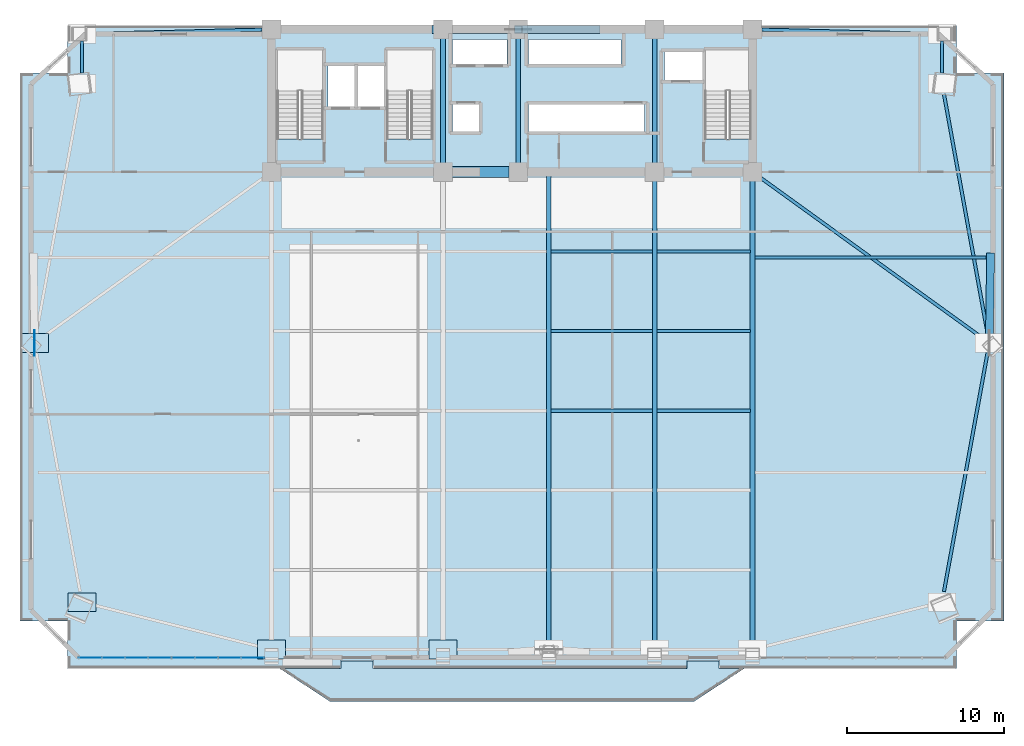
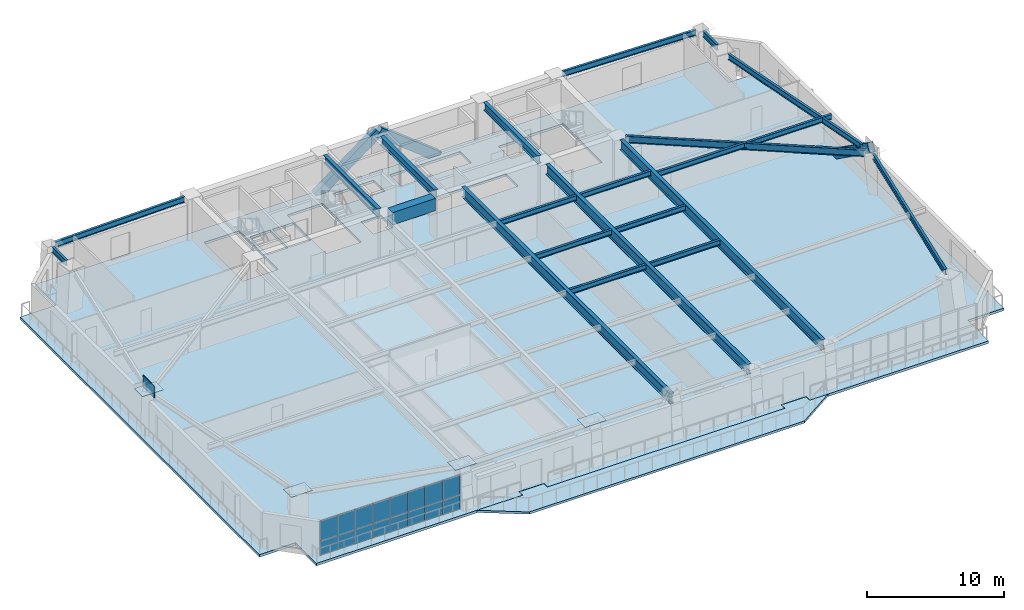
# One storey, part 6 of 15: 21 beams, 21 plates, 3 members, 2 slabs, 1 element without a shape of its own.
"""IFC4 building model written with IfcOpenShell, lengths in metres."""

from ifc_helpers import new_model, si_unit, direction, frame, origin, origin_2d, place, context, subcontext, project, spatial, polyline, rectangle, hollow_rectangle, i_section, outline, extrude, source, transform, mapped, material, layer, layer_set, material_profile, profile_set, type_object, element, aggregate, save


model = new_model("IFC4")

# Units and contexts
model_context = context("Model", 3, precision=1e-05, world=origin(), true_north=direction((0.0, 1.0)))
body_context = subcontext(model_context, "Body", "Model", "MODEL_VIEW")
ifc_project = project(units=[si_unit("LENGTHUNIT", "METRE"), si_unit("AREAUNIT", "SQUARE_METRE"), si_unit("VOLUMEUNIT", "CUBIC_METRE"), si_unit("PLANEANGLEUNIT", "RADIAN"), si_unit("MASSUNIT", "GRAM", prefix="KILO")], contexts=[model_context])

# Site, building, storey
site_placement = place(None, origin())
site = spatial("IfcSite", under=ifc_project, at=site_placement, CompositionType="ELEMENT")
building_placement = place(site_placement, origin())
building = spatial("IfcBuilding", under=site, at=building_placement, Name="Giltprow Tower", CompositionType="ELEMENT")
storey_placement = place(building_placement, frame((0.0, 0.0, 107.5)))
storey = spatial("IfcBuildingStorey", under=building, at=storey_placement, Name="L26", CompositionType="ELEMENT", Elevation=107.5)

# Beams
ifc_material_1 = material(Name="Concrete C60", Category="concrete")
ifc_material_profile_1 = material_profile(ifc_material_1, rectangle(XDim=0.699951171875, YDim=1.10009765625, at=origin_2d()), Name="RC 1100x700")
ifc_profile_set_1 = profile_set([ifc_material_profile_1], Name="Concrete C60")
beam_type_1 = type_object("IfcBeamType", Name="BM-CPL-RC1100", PredefinedType="LINTEL", material=ifc_profile_set_1)
shared_shape_1 = source(origin(), body_context, "Body", "SweptSolid", [
    extrude(rectangle(XDim=0.699951171875, YDim=1.10009765625, at=origin_2d()), origin(), (0.0, 0.0, 1.0), 3.6298828125),
])
beam_1_placement = place(storey_placement, frame((31.385009765625, 37.449951171875, 3.1298828125), z_axis=(1.0, 0.0, 0.0), x_axis=(0.0, 1.0, 0.0)))
element("IfcBeam", 1, at=beam_1_placement, inside=storey, type_object=beam_type_1, Name="L26 Core Coupling Beam CB-1", PredefinedType="LINTEL", context=body_context, shape_type="MappedRepresentation", body=[
    mapped(shared_shape_1, transform((0.0, 0.0, 0.0), x_axis=(1.0, 0.0, 0.0), y_axis=(0.0, 1.0, 0.0), z_axis=(0.0, 0.0, 1.0), scale=1.0)),
])
ifc_material_2 = material(Name="Structural steel Q355B", Category="steel")
ifc_material_profile_2 = material_profile(ifc_material_2, i_section(OverallWidth=0.300048828125, OverallDepth=0.699951171875, WebThickness=0.012939453125, FlangeThickness=0.02392578125, at=origin_2d()), Name="HN 700x300x13x24")
ifc_profile_set_2 = profile_set([ifc_material_profile_2], Name="Structural steel Q355B")
beam_type_2 = type_object("IfcBeamType", Name="BM-GIRD-HN700", PredefinedType="BEAM", material=ifc_profile_set_2)
shared_shape_2 = source(origin(), body_context, "Body", "SweptSolid", [
    extrude(i_section(OverallWidth=0.300048828125, OverallDepth=0.699951171875, WebThickness=0.012939453125, FlangeThickness=0.02392578125, at=origin_2d()), origin(), (0.0, 0.0, 1.0), 7.93017578125),
])
for number, where, z_axis, x_axis, name in (
    (2, (30.800048828125, 38.034912109375, 3.330078125), (0.0, 1.0, 0.0), (-1.0, 0.0, 0.0), "L26 Core Tie Girder M1"),
    (3, (35.60009765625, 38.034912109375, 3.330078125), (0.0, 1.0, 0.0), (-1.0, 0.0, 0.0), "L26 Core Tie Girder M2"),
    (4, (44.300048828125, 38.034912109375, 3.330078125), (0.0, 1.0, 0.0), (-1.0, 0.0, 0.0), "L26 Core Tie Girder M3"),
):
    element("IfcBeam", number, at=place(storey_placement, frame(where, z_axis=z_axis, x_axis=x_axis)), inside=storey, type_object=beam_type_2, Name=name, PredefinedType="BEAM", context=body_context, shape_type="MappedRepresentation", body=[
        mapped(shared_shape_2, transform((0.0, 0.0, 0.0), x_axis=(1.0, 0.0, 0.0), y_axis=(0.0, 1.0, 0.0), z_axis=(0.0, 0.0, 1.0), scale=1.0)),
    ])
ifc_material_profile_3 = material_profile(ifc_material_2, i_section(OverallWidth=0.199951171875, OverallDepth=0.449951171875, WebThickness=0.009033203125, FlangeThickness=0.013916015625, at=origin_2d()), Name="HN 450x200x9x14")
ifc_profile_set_3 = profile_set([ifc_material_profile_3], Name="Structural steel Q355B")
beam_type_3 = type_object("IfcBeamType", Name="BM-JOIST-HN450", PredefinedType="JOIST", material=ifc_profile_set_3)
shared_shape_3 = source(origin(), body_context, "Body", "SweptSolid", [
    extrude(i_section(OverallWidth=0.199951171875, OverallDepth=0.449951171875, WebThickness=0.009033203125, FlangeThickness=0.013916015625, at=origin_2d()), origin(), (0.0, 0.0, 1.0), 6.4599609375),
])
for number, where, z_axis, x_axis, name in (
    (5, (37.695068359375, 22.219970703125, 3.455078125), (1.0, 0.0, 0.0), (0.0, 1.0, 0.0), "L26 Composite Floor Joist 3-3"),
    (6, (37.695068359375, 27.297119140625, 3.455078125), (1.0, 0.0, 0.0), (0.0, 1.0, 0.0), "L26 Composite Floor Joist 4-3"),
    (7, (37.695068359375, 32.373046875, 3.455078125), (1.0, 0.0, 0.0), (0.0, 1.0, 0.0), "L26 Composite Floor Joist 5-3"),
):
    element("IfcBeam", number, at=place(storey_placement, frame(where, z_axis=z_axis, x_axis=x_axis)), inside=storey, type_object=beam_type_3, Name=name, PredefinedType="JOIST", context=body_context, shape_type="MappedRepresentation", body=[
        mapped(shared_shape_3, transform((0.0, 0.0, 0.0), x_axis=(1.0, 0.0, 0.0), y_axis=(0.0, 1.0, 0.0), z_axis=(0.0, 0.0, 1.0), scale=1.0)),
    ])
shared_shape_4 = source(origin(), body_context, "Body", "SweptSolid", [
    extrude(i_section(OverallWidth=0.199951171875, OverallDepth=0.449951171875, WebThickness=0.009033203125, FlangeThickness=0.013916015625, at=origin_2d()), origin(), (0.0, 0.0, 1.0), 5.9599609375),
])
for number, where, z_axis, x_axis, name in (
    (8, (44.445068359375, 22.219970703125, 3.455078125), (1.0, 0.0, 0.0), (0.0, 1.0, 0.0), "L26 Composite Floor Joist 3-4"),
    (9, (44.445068359375, 27.297119140625, 3.455078125), (1.0, 0.0, 0.0), (0.0, 1.0, 0.0), "L26 Composite Floor Joist 4-4"),
    (10, (44.445068359375, 32.373046875, 3.455078125), (1.0, 0.0, 0.0), (0.0, 1.0, 0.0), "L26 Composite Floor Joist 5-4"),
):
    element("IfcBeam", number, at=place(storey_placement, frame(where, z_axis=z_axis, x_axis=x_axis)), inside=storey, type_object=beam_type_3, Name=name, PredefinedType="JOIST", context=body_context, shape_type="MappedRepresentation", body=[
        mapped(shared_shape_4, transform((0.0, 0.0, 0.0), x_axis=(1.0, 0.0, 0.0), y_axis=(0.0, 1.0, 0.0), z_axis=(0.0, 0.0, 1.0), scale=1.0)),
    ])
ifc_material_profile_4 = material_profile(ifc_material_2, i_section(OverallWidth=0.199951171875, OverallDepth=0.5, WebThickness=0.010009765625, FlangeThickness=0.01611328125, at=origin_2d()), Name="HN 500x200x10x16")
ifc_profile_set_4 = profile_set([ifc_material_profile_4], Name="Structural steel Q355B")
beam_type_4 = type_object("IfcBeamType", Name="BM-SPAN-HN500", PredefinedType="SPANDREL", material=ifc_profile_set_4)
shared_shape_5 = source(origin(), body_context, "Body", "SweptSolid", [
    extrude(i_section(OverallWidth=0.199951171875, OverallDepth=0.5, WebThickness=0.010009765625, FlangeThickness=0.01611328125, at=origin_2d()), origin(), (0.0, 0.0, 1.0), 15.690673828125),
])
for number, where, z_axis, x_axis, name in (
    (11, (62.761962890625, 10.680908203125, 3.429931640625), (0.179463224787, 0.983764682711, 0.0), (-0.983764682711, 0.179463224787, 0.0), "L26 Perimeter Spandrel Beam MC_SE-E_MID"),
    (12, (65.577880859375, 26.972900390625, 3.429931640625), (-0.179463224787, 0.983764682711, 0.0), (-0.983764682711, -0.179463224787, 0.0), "L26 Perimeter Spandrel Beam E_MID-MC_NE"),
):
    element("IfcBeam", number, at=place(storey_placement, frame(where, z_axis=z_axis, x_axis=x_axis)), inside=storey, type_object=beam_type_4, Name=name, PredefinedType="SPANDREL", context=body_context, shape_type="MappedRepresentation", body=[
        mapped(shared_shape_5, transform((0.0, 0.0, 0.0), x_axis=(1.0, 0.0, 0.0), y_axis=(0.0, 1.0, 0.0), z_axis=(0.0, 0.0, 1.0), scale=1.0)),
    ])
shared_shape_6 = source(origin(), body_context, "Body", "SweptSolid", [
    extrude(i_section(OverallWidth=0.199951171875, OverallDepth=0.5, WebThickness=0.010009765625, FlangeThickness=0.01611328125, at=origin_2d()), origin(), (0.0, 0.0, 1.0), 2.046875),
])
for number, where, z_axis, x_axis, name in (
    (13, (62.638916015625, 43.76806640625, 3.429931640625), (0.0, 1.0, 0.0), (-1.0, 0.0, 0.0), "L26 Perimeter Spandrel Beam MC_NE-N_E"),
    (14, (7.760986328125, 45.81494140625, 3.429931640625), (0.0, -1.0, 0.0), (1.0, 0.0, 0.0), "L26 Perimeter Spandrel Beam N_W-MC_NW"),
):
    element("IfcBeam", number, at=place(storey_placement, frame(where, z_axis=z_axis, x_axis=x_axis)), inside=storey, type_object=beam_type_4, Name=name, PredefinedType="SPANDREL", context=body_context, shape_type="MappedRepresentation", body=[
        mapped(shared_shape_6, transform((0.0, 0.0, 0.0), x_axis=(1.0, 0.0, 0.0), y_axis=(0.0, 1.0, 0.0), z_axis=(0.0, 0.0, 1.0), scale=1.0)),
    ])
shared_shape_7 = source(origin(), body_context, "Body", "SweptSolid", [
    extrude(i_section(OverallWidth=0.199951171875, OverallDepth=0.5, WebThickness=0.010009765625, FlangeThickness=0.01611328125, at=origin_2d()), origin(), (0.0, 0.0, 1.0), 11.072265625),
])
beam_2_placement = place(storey_placement, frame((8.196044921875, 46.260986328125, 3.429931640625), z_axis=(0.999693922381, 0.024739877827, 0.0), x_axis=(-0.024739877827, 0.999693922381, 0.0)))
element("IfcBeam", 15, at=beam_2_placement, inside=storey, type_object=beam_type_4, Name="L26 North Wing Spandrel W", PredefinedType="SPANDREL", context=body_context, shape_type="MappedRepresentation", body=[
    mapped(shared_shape_7, transform((0.0, 0.0, 0.0), x_axis=(1.0, 0.0, 0.0), y_axis=(0.0, 1.0, 0.0), z_axis=(0.0, 0.0, 1.0), scale=1.0)),
])
shared_shape_8 = source(origin(), body_context, "Body", "SweptSolid", [
    extrude(i_section(OverallWidth=0.199951171875, OverallDepth=0.5, WebThickness=0.010009765625, FlangeThickness=0.01611328125, at=origin_2d()), origin(), (0.0, 0.0, 1.0), 11.072509765625),
])
beam_3_placement = place(storey_placement, frame((51.135009765625, 46.534912109375, 3.429931640625), z_axis=(0.999693935876, -0.024739332496, 0.0), x_axis=(0.024739332496, 0.999693935876, 0.0)))
element("IfcBeam", 16, at=beam_3_placement, inside=storey, type_object=beam_type_4, Name="L26 North Wing Spandrel E", PredefinedType="SPANDREL", context=body_context, shape_type="MappedRepresentation", body=[
    mapped(shared_shape_8, transform((0.0, 0.0, 0.0), x_axis=(1.0, 0.0, 0.0), y_axis=(0.0, 1.0, 0.0), z_axis=(0.0, 0.0, 1.0), scale=1.0)),
])
ifc_material_profile_5 = material_profile(ifc_material_2, i_section(OverallWidth=0.300048828125, OverallDepth=0.89990234375, WebThickness=0.01611328125, FlangeThickness=0.028076171875, at=origin_2d()), Name="HN 900x300x16x28")
ifc_profile_set_5 = profile_set([ifc_material_profile_5], Name="Structural steel Q355B")
beam_type_5 = type_object("IfcBeamType", Name="BM-GIRD-HN900", PredefinedType="BEAM", material=ifc_profile_set_5)
shared_shape_9 = source(origin(), body_context, "Body", "SweptSolid", [
    extrude(i_section(OverallWidth=0.300048828125, OverallDepth=0.89990234375, WebThickness=0.01611328125, FlangeThickness=0.028076171875, at=origin_2d()), origin(), (0.0, 0.0, 1.0), 29.43994140625),
])
for number, where, z_axis, x_axis, name in (
    (17, (44.300048828125, 7.425048828125, 3.22998046875), (0.0, 1.0, 0.0), (-1.0, 0.0, 0.0), "L26 Primary Lease Girder S3"),
    (18, (50.550048828125, 7.425048828125, 3.22998046875), (0.0, 1.0, 0.0), (-1.0, 0.0, 0.0), "L26 Primary Lease Girder S4"),
):
    element("IfcBeam", number, at=place(storey_placement, frame(where, z_axis=z_axis, x_axis=x_axis)), inside=storey, type_object=beam_type_5, Name=name, PredefinedType="BEAM", context=body_context, shape_type="MappedRepresentation", body=[
        mapped(shared_shape_9, transform((0.0, 0.0, 0.0), x_axis=(1.0, 0.0, 0.0), y_axis=(0.0, 1.0, 0.0), z_axis=(0.0, 0.0, 1.0), scale=1.0)),
    ])
shared_shape_10 = source(origin(), body_context, "Body", "SweptSolid", [
    extrude(i_section(OverallWidth=0.300048828125, OverallDepth=0.89990234375, WebThickness=0.01611328125, FlangeThickness=0.028076171875, at=origin_2d()), origin(), (0.0, 0.0, 1.0), 30.4599609375),
])
beam_4_placement = place(storey_placement, frame((37.550048828125, 6.989990234375, 3.22998046875), z_axis=(0.0, 1.0, 0.0), x_axis=(-1.0, 0.0, 0.0)))
element("IfcBeam", 19, at=beam_4_placement, inside=storey, type_object=beam_type_5, Name="L26 Central Lease Girder SMID", PredefinedType="BEAM", context=body_context, shape_type="MappedRepresentation", body=[
    mapped(shared_shape_10, transform((0.0, 0.0, 0.0), x_axis=(1.0, 0.0, 0.0), y_axis=(0.0, 1.0, 0.0), z_axis=(0.0, 0.0, 1.0), scale=1.0)),
])
ifc_material_profile_6 = material_profile(ifc_material_2, i_section(OverallWidth=0.199951171875, OverallDepth=0.60009765625, WebThickness=0.010986328125, FlangeThickness=0.01708984375, at=origin_2d()), Name="HN 600x200x11x17")
ifc_profile_set_6 = profile_set([ifc_material_profile_6], Name="Structural steel Q355B")
beam_type_6 = type_object("IfcBeamType", Name="BM-GIRD-HN600", PredefinedType="BEAM", material=ifc_profile_set_6)
shared_shape_11 = source(origin(), body_context, "Body", "SweptSolid", [
    extrude(i_section(OverallWidth=0.199951171875, OverallDepth=0.60009765625, WebThickness=0.010986328125, FlangeThickness=0.01708984375, at=origin_2d()), origin(), (0.0, 0.0, 1.0), 17.61083984375),
])
beam_5_placement = place(storey_placement, frame((65.302978515625, 26.800048828125, 3.3798828125), z_axis=(-0.810808250373, 0.585311866552, 0.0), x_axis=(-0.585311866552, -0.810808250373, 0.0)))
element("IfcBeam", 20, at=beam_5_placement, inside=storey, type_object=beam_type_6, Name="L26 East Wing Primary Girder", PredefinedType="BEAM", context=body_context, shape_type="MappedRepresentation", body=[
    mapped(shared_shape_11, transform((0.0, 0.0, 0.0), x_axis=(1.0, 0.0, 0.0), y_axis=(0.0, 1.0, 0.0), z_axis=(0.0, 0.0, 1.0), scale=1.0)),
])
shared_shape_12 = source(origin(), body_context, "Body", "SweptSolid", [
    extrude(i_section(OverallWidth=0.199951171875, OverallDepth=0.449951171875, WebThickness=0.009033203125, FlangeThickness=0.013916015625, at=origin_2d()), origin(), (0.0, 0.0, 1.0), 14.740966796875),
])
beam_6_placement = place(storey_placement, frame((50.695068359375, 31.998046875, 3.455078125), z_axis=(1.0, 0.0, 0.0), x_axis=(0.0, 1.0, 0.0)))
element("IfcBeam", 21, at=beam_6_placement, inside=storey, type_object=beam_type_3, Name="L26 East Wing Floor Joist 2", PredefinedType="JOIST", context=body_context, shape_type="MappedRepresentation", body=[
    mapped(shared_shape_12, transform((0.0, 0.0, 0.0), x_axis=(1.0, 0.0, 0.0), y_axis=(0.0, 1.0, 0.0), z_axis=(0.0, 0.0, 1.0), scale=1.0)),
])

# Members
ifc_material_3 = material(Name="Structural steel Q420GJC", Category="steel")
ifc_material_profile_7 = material_profile(ifc_material_3, hollow_rectangle(XDim=0.5, YDim=0.800048828125, WallThickness=0.035888671875, at=origin_2d()), Name="RHS 800x500x36")
ifc_profile_set_7 = profile_set([ifc_material_profile_7], Name="Structural steel Q420GJC")
member_type = type_object("IfcMemberType", Name="MBR-MEGA-RHS800", PredefinedType="BRACE", material=ifc_profile_set_7)
shared_shape_13 = source(origin(), body_context, "Body", "SweptSolid", [
    extrude(hollow_rectangle(XDim=0.5, YDim=0.800048828125, WallThickness=0.035888671875, at=origin_2d()), origin(), (0.0, 0.0, 1.0), 6.5400390625),
])
member_1_placement = place(storey_placement, frame((30.35009765625, 46.550048828125, -0.139892578125), z_axis=(0.802750995836, 0.0, 0.596314379068), x_axis=(0.0, 1.0, 0.0)))
element("IfcMember", 22, at=member_1_placement, inside=storey, type_object=member_type, Name="L26 Chevron Mega-Brace N-L", PredefinedType="BRACE", context=body_context, shape_type="MappedRepresentation", body=[
    mapped(shared_shape_13, transform((0.0, 0.0, 0.0), x_axis=(1.0, 0.0, 0.0), y_axis=(0.0, 1.0, 0.0), z_axis=(0.0, 0.0, 1.0), scale=1.0)),
])
shared_shape_14 = source(origin(), body_context, "Body", "SweptSolid", [
    extrude(hollow_rectangle(XDim=0.5, YDim=0.800048828125, WallThickness=0.035888671875, at=origin_2d()), origin(), (0.0, 0.0, 1.0), 6.74609375),
])
member_2_placement = place(storey_placement, frame((65.73388671875, 32.049072265625, 0.0), z_axis=(-0.011544434502, -0.815891146878, 0.578090271911), x_axis=(0.999899911153, -0.014148062615, 0.0)))
element("IfcMember", 23, at=member_2_placement, inside=storey, type_object=member_type, Name="L26 Chevron Mega-Brace E-R", PredefinedType="BRACE", context=body_context, shape_type="MappedRepresentation", body=[
    mapped(shared_shape_14, transform((0.0, 0.0, 0.0), x_axis=(1.0, 0.0, 0.0), y_axis=(0.0, 1.0, 0.0), z_axis=(0.0, 0.0, 1.0), scale=1.0)),
])
shared_shape_15 = source(origin(), body_context, "Body", "SweptSolid", [
    extrude(hollow_rectangle(XDim=0.5, YDim=0.800048828125, WallThickness=0.035888671875, at=origin_2d()), origin(), (0.0, 0.0, 1.0), 6.32763671875),
])
member_3_placement = place(storey_placement, frame((40.5830078125, 46.550048828125, -0.139892578125), z_axis=(-0.787487088571, 0.0, 0.616331149086), x_axis=(0.0, -1.0, 0.0)))
element("IfcMember", 24, at=member_3_placement, inside=storey, type_object=member_type, Name="L26 Chevron Mega-Brace N-R", PredefinedType="BRACE", context=body_context, shape_type="MappedRepresentation", body=[
    mapped(shared_shape_15, transform((0.0, 0.0, 0.0), x_axis=(1.0, 0.0, 0.0), y_axis=(0.0, 1.0, 0.0), z_axis=(0.0, 0.0, 1.0), scale=1.0)),
])

# Slabs
ifc_material_4 = material(Name="Concrete C40", Category="concrete")
ifc_layer_1 = layer(ifc_material_4, 0.199951171875, Name="Concrete C40")
ifc_layer_set_1 = layer_set([ifc_layer_1], Name="Concrete C40")
slab_type_1 = type_object("IfcSlabType", Name="SLB-BALC-BRONZE-200", PredefinedType="FLOOR", material=ifc_layer_set_1)
slab_1_placement = place(storey_placement, frame((0.0, 0.0, -0.199951171875)))
element("IfcSlab", 25, at=slab_1_placement, inside=storey, type_object=slab_type_1, Name="L26 Bronze Prow Waterfront Balcony Slab", PredefinedType="FLOOR", context=body_context, shape_type="SweptSolid", body=[
    extrude(outline(polyline([(50.0, 5.761962890625), (46.800048828125, 3.662109375), (23.60009765625, 3.662109375), (20.39990234375, 5.761962890625), (24.280029296875, 5.761962890625), (24.280029296875, 6.261962890625), (26.320068359375, 6.261962890625), (26.320068359375, 5.761962890625), (46.3798828125, 5.761962890625), (46.3798828125, 6.261962890625), (48.419921875, 6.261962890625), (48.419921875, 5.761962890625), (50.0, 5.761962890625)])), origin(), (0.0, 0.0, 1.0), 0.199951171875),
])
ifc_layer_2 = layer(ifc_material_4, 0.219970703125, Name="Concrete C40")
ifc_layer_set_2 = layer_set([ifc_layer_2], Name="Concrete C40")
slab_type_2 = type_object("IfcSlabType", Name="SLB-OFF-220", PredefinedType="FLOOR", material=ifc_layer_set_2)
slab_2_placement = place(storey_placement, frame((0.0, 0.0, -0.219970703125)))
element("IfcSlab", 26, at=slab_2_placement, inside=storey, type_object=slab_type_2, Name="L26 Structural Composite Floor Slab", PredefinedType="FLOOR", context=body_context, shape_type="SweptSolid", body=[
    extrude(outline(polyline([(6.85302734375, 5.761962890625), (6.85302734375, 8.804931640625), (3.81005859375, 8.804931640625), (3.81005859375, 43.756103515625), (6.85302734375, 43.756103515625), (6.85302734375, 46.799072265625), (63.548095703125, 46.799072265625), (63.548095703125, 43.756103515625), (66.591064453125, 43.756103515625), (66.591064453125, 8.804931640625), (63.548095703125, 8.804931640625), (63.548095703125, 5.761962890625), (48.449951171875, 5.761962890625), (48.449951171875, 6.281982421875), (46.35009765625, 6.281982421875), (46.35009765625, 5.761962890625), (26.35009765625, 5.761962890625), (26.35009765625, 6.281982421875), (24.25, 6.281982421875), (24.25, 5.761962890625), (6.85302734375, 5.761962890625)]), holes=[polyline([(33.10009765625, 41.800048828125), (31.419921875, 41.800048828125), (31.419921875, 40.0), (33.10009765625, 40.0), (33.10009765625, 41.800048828125)]), polyline([(23.159912109375, 39.570068359375), (23.159912109375, 45.25), (20.199951171875, 45.25), (20.199951171875, 39.570068359375), (23.159912109375, 39.570068359375)]), polyline([(30.159912109375, 45.25), (27.199951171875, 45.25), (27.199951171875, 39.570068359375), (30.159912109375, 39.570068359375), (30.159912109375, 45.25)]), polyline([(25.169921875, 41.60009765625), (25.169921875, 44.199951171875), (23.449951171875, 44.199951171875), (23.449951171875, 41.60009765625), (25.169921875, 41.60009765625)]), polyline([(27.10009765625, 41.60009765625), (27.10009765625, 44.199951171875), (25.35009765625, 44.199951171875), (25.35009765625, 41.60009765625), (27.10009765625, 41.60009765625)]), polyline([(43.659912109375, 40.0), (43.659912109375, 41.800048828125), (36.239990234375, 41.800048828125), (36.239990234375, 40.0), (43.659912109375, 40.0)]), polyline([(50.4599609375, 39.570068359375), (50.4599609375, 45.25), (47.5, 45.25), (47.5, 39.570068359375), (50.4599609375, 39.570068359375)]), polyline([(47.3798828125, 45.10009765625), (44.919921875, 45.10009765625), (44.919921875, 43.300048828125), (47.3798828125, 43.300048828125), (47.3798828125, 45.10009765625)]), polyline([(34.8798828125, 44.300048828125), (34.8798828125, 45.919921875), (31.419921875, 45.919921875), (31.419921875, 44.300048828125), (34.8798828125, 44.300048828125)]), polyline([(42.169921875, 44.300048828125), (42.169921875, 45.919921875), (36.239990234375, 45.919921875), (36.239990234375, 44.300048828125), (42.169921875, 44.300048828125)])]), origin(), (0.0, 0.0, 1.0), 0.219970703125),
])

# Plates
plate_type_1 = type_object("IfcPlateType", Name="PLT-NODE-CKN1", PredefinedType="USERDEFINED", material=ifc_material_3)
shared_shape_16 = source(origin(), body_context, "Body", "SweptSolid", [
    extrude(rectangle(XDim=1.800048828125, YDim=1.199951171875, at=origin_2d()), origin(), (0.0, 0.0, 1.0), 0.044921875),
])
for number, where, z_axis, x_axis, name in (
    (27, (7.760986328125, 10.007080078125, 3.637451171875), (0.0, 0.0, 1.0), (1.0, 0.0, 0.0), "CKN1 Column Taper Splice Node L26-MC_SW"),
    (28, (19.85009765625, 6.989990234375, 3.637451171875), (0.0, 0.0, 1.0), (1.0, 0.0, 0.0), "CKN1 Column Taper Splice Node L26-S1"),
    (29, (30.800048828125, 6.989990234375, 3.637451171875), (0.0, 0.0, 1.0), (1.0, 0.0, 0.0), "CKN1 Column Taper Splice Node L26-S2"),
    (30, (4.743896484375, 26.544921875, 3.637451171875), (0.0, 0.0, 1.0), (1.0, 0.0, 0.0), "CKN1 Column Taper Splice Node L26-W_MID"),
):
    element("IfcPlate", number, at=place(storey_placement, frame(where, z_axis=z_axis, x_axis=x_axis)), inside=storey, type_object=plate_type_1, Name=name, ObjectType="SPLICE", PredefinedType="USERDEFINED", context=body_context, shape_type="MappedRepresentation", body=[
        mapped(shared_shape_16, transform((0.0, 0.0, 0.0), x_axis=(1.0, 0.0, 0.0), y_axis=(0.0, 1.0, 0.0), z_axis=(0.0, 0.0, 1.0), scale=1.0)),
    ])
plate_type_2 = type_object("IfcPlateType", Name="PLT-NODE-MBN2", PredefinedType="USERDEFINED", material=ifc_material_3)
shared_shape_17 = source(origin(), body_context, "Body", "SweptSolid", [
    extrude(rectangle(XDim=1.64990234375, YDim=0.044921875, at=origin_2d()), origin(), (0.0, 0.0, 1.0), 1.050048828125),
])
plate_1_placement = place(storey_placement, frame((4.743896484375, 26.544921875, 3.375), z_axis=(0.0, 0.0, 1.0), x_axis=(0.0, 1.0, 0.0)))
element("IfcPlate", 31, at=plate_1_placement, inside=storey, type_object=plate_type_2, Name="Mega-Brace Node L26-W-RB", ObjectType="GUSSET", PredefinedType="USERDEFINED", context=body_context, shape_type="MappedRepresentation", body=[
    mapped(shared_shape_17, transform((0.0, 0.0, 0.0), x_axis=(1.0, 0.0, 0.0), y_axis=(0.0, 1.0, 0.0), z_axis=(0.0, 0.0, 1.0), scale=1.0)),
])

# Curtain wall, plates
ifc_material_5 = material(Name="Anodized bronze", Category="metal")
ifc_layer_3 = layer(ifc_material_5, 0.179931640625, Name="Anodized bronze")
ifc_layer_set_3 = layer_set([ifc_layer_3], Name="Anodized bronze")
curtain_wall_type = type_object("IfcCurtainWallType", Name="CW-OFF-RECESSED", PredefinedType="NOTDEFINED", material=ifc_layer_set_3)
curtain_wall_placement = place(storey_placement, origin())
curtain_wall = element("IfcCurtainWall", 32, at=curtain_wall_placement, inside=storey, type_object=curtain_wall_type, Name="L26 South Recessed Curtain Wall 1", PredefinedType="NOTDEFINED")
ifc_material_6 = material(Name="Insulated glass", Category="glass")
plate_type_3 = type_object("IfcPlateType", Name="CW-PANEL-IGU-28", PredefinedType="CURTAIN_PANEL", material=ifc_material_6)
shared_shape_18 = source(origin(), body_context, "Body", "SweptSolid", [
    extrude(rectangle(XDim=1.450927734375, YDim=0.028076171875, at=origin_2d()), origin(), (0.0, 0.0, 1.0), 1.259033203125),
])
plate_2_placement = place(storey_placement, frame((8.29296875, 6.4619140625, 0.0546875), z_axis=(0.0, 0.0, 1.0), x_axis=(1.0, 0.0, 0.0)))
plate_2 = element("IfcPlate", 33, at=plate_2_placement, type_object=plate_type_3, Name="L26 South Recessed Curtain Wall 1 Glazing Panel 1-1", PredefinedType="CURTAIN_PANEL", context=body_context, shape_type="MappedRepresentation", body=[
    mapped(shared_shape_18, transform((0.0, 0.0, 0.0), x_axis=(1.0, 0.0, 0.0), y_axis=(0.0, 1.0, 0.0), z_axis=(0.0, 0.0, 1.0), scale=1.0)),
])
plate_3_placement = place(storey_placement, frame((9.77392578125, 6.4619140625, 0.0546875), z_axis=(0.0, 0.0, 1.0), x_axis=(1.0, 0.0, 0.0)))
plate_3 = element("IfcPlate", 34, at=plate_3_placement, type_object=plate_type_3, Name="L26 South Recessed Curtain Wall 1 Glazing Panel 2-1", PredefinedType="CURTAIN_PANEL", context=body_context, shape_type="MappedRepresentation", body=[
    mapped(shared_shape_18, transform((0.0, 0.0, 0.0), x_axis=(1.0, 0.0, 0.0), y_axis=(0.0, 1.0, 0.0), z_axis=(0.0, 0.0, 1.0), scale=1.0)),
])
plate_4_placement = place(storey_placement, frame((11.2548828125, 6.4619140625, 0.0546875), z_axis=(0.0, 0.0, 1.0), x_axis=(1.0, 0.0, 0.0)))
plate_4 = element("IfcPlate", 35, at=plate_4_placement, type_object=plate_type_3, Name="L26 South Recessed Curtain Wall 1 Glazing Panel 3-1", PredefinedType="CURTAIN_PANEL", context=body_context, shape_type="MappedRepresentation", body=[
    mapped(shared_shape_18, transform((0.0, 0.0, 0.0), x_axis=(1.0, 0.0, 0.0), y_axis=(0.0, 1.0, 0.0), z_axis=(0.0, 0.0, 1.0), scale=1.0)),
])
plate_5_placement = place(storey_placement, frame((12.736083984375, 6.4619140625, 0.0546875), z_axis=(0.0, 0.0, 1.0), x_axis=(1.0, 0.0, 0.0)))
plate_5 = element("IfcPlate", 36, at=plate_5_placement, type_object=plate_type_3, Name="L26 South Recessed Curtain Wall 1 Glazing Panel 4-1", PredefinedType="CURTAIN_PANEL", context=body_context, shape_type="MappedRepresentation", body=[
    mapped(shared_shape_18, transform((0.0, 0.0, 0.0), x_axis=(1.0, 0.0, 0.0), y_axis=(0.0, 1.0, 0.0), z_axis=(0.0, 0.0, 1.0), scale=1.0)),
])
plate_6_placement = place(storey_placement, frame((14.217041015625, 6.4619140625, 0.0546875), z_axis=(0.0, 0.0, 1.0), x_axis=(1.0, 0.0, 0.0)))
plate_6 = element("IfcPlate", 37, at=plate_6_placement, type_object=plate_type_3, Name="L26 South Recessed Curtain Wall 1 Glazing Panel 5-1", PredefinedType="CURTAIN_PANEL", context=body_context, shape_type="MappedRepresentation", body=[
    mapped(shared_shape_18, transform((0.0, 0.0, 0.0), x_axis=(1.0, 0.0, 0.0), y_axis=(0.0, 1.0, 0.0), z_axis=(0.0, 0.0, 1.0), scale=1.0)),
])
plate_7_placement = place(storey_placement, frame((15.697998046875, 6.4619140625, 0.0546875), z_axis=(0.0, 0.0, 1.0), x_axis=(1.0, 0.0, 0.0)))
plate_7 = element("IfcPlate", 38, at=plate_7_placement, type_object=plate_type_3, Name="L26 South Recessed Curtain Wall 1 Glazing Panel 6-1", PredefinedType="CURTAIN_PANEL", context=body_context, shape_type="MappedRepresentation", body=[
    mapped(shared_shape_18, transform((0.0, 0.0, 0.0), x_axis=(1.0, 0.0, 0.0), y_axis=(0.0, 1.0, 0.0), z_axis=(0.0, 0.0, 1.0), scale=1.0)),
])
plate_8_placement = place(storey_placement, frame((17.178955078125, 6.4619140625, 0.0546875), z_axis=(0.0, 0.0, 1.0), x_axis=(1.0, 0.0, 0.0)))
plate_8 = element("IfcPlate", 39, at=plate_8_placement, type_object=plate_type_3, Name="L26 South Recessed Curtain Wall 1 Glazing Panel 7-1", PredefinedType="CURTAIN_PANEL", context=body_context, shape_type="MappedRepresentation", body=[
    mapped(shared_shape_18, transform((0.0, 0.0, 0.0), x_axis=(1.0, 0.0, 0.0), y_axis=(0.0, 1.0, 0.0), z_axis=(0.0, 0.0, 1.0), scale=1.0)),
])
plate_9_placement = place(storey_placement, frame((18.659912109375, 6.4619140625, 0.0546875), z_axis=(0.0, 0.0, 1.0), x_axis=(1.0, 0.0, 0.0)))
plate_9 = element("IfcPlate", 40, at=plate_9_placement, type_object=plate_type_3, Name="L26 South Recessed Curtain Wall 1 Glazing Panel 8-1", PredefinedType="CURTAIN_PANEL", context=body_context, shape_type="MappedRepresentation", body=[
    mapped(shared_shape_18, transform((0.0, 0.0, 0.0), x_axis=(1.0, 0.0, 0.0), y_axis=(0.0, 1.0, 0.0), z_axis=(0.0, 0.0, 1.0), scale=1.0)),
])
shared_shape_19 = source(origin(), body_context, "Body", "SweptSolid", [
    extrude(rectangle(XDim=1.450927734375, YDim=0.028076171875, at=origin_2d()), origin(), (0.0, 0.0, 1.0), 1.764892578125),
])
plate_10_placement = place(storey_placement, frame((8.29296875, 6.4619140625, 1.341796875), z_axis=(0.0, 0.0, 1.0), x_axis=(1.0, 0.0, 0.0)))
plate_10 = element("IfcPlate", 41, at=plate_10_placement, type_object=plate_type_3, Name="L26 South Recessed Curtain Wall 1 Glazing Panel 1-2", PredefinedType="CURTAIN_PANEL", context=body_context, shape_type="MappedRepresentation", body=[
    mapped(shared_shape_19, transform((0.0, 0.0, 0.0), x_axis=(1.0, 0.0, 0.0), y_axis=(0.0, 1.0, 0.0), z_axis=(0.0, 0.0, 1.0), scale=1.0)),
])
plate_11_placement = place(storey_placement, frame((9.77392578125, 6.4619140625, 1.341796875), z_axis=(0.0, 0.0, 1.0), x_axis=(1.0, 0.0, 0.0)))
plate_11 = element("IfcPlate", 42, at=plate_11_placement, type_object=plate_type_3, Name="L26 South Recessed Curtain Wall 1 Glazing Panel 2-2", PredefinedType="CURTAIN_PANEL", context=body_context, shape_type="MappedRepresentation", body=[
    mapped(shared_shape_19, transform((0.0, 0.0, 0.0), x_axis=(1.0, 0.0, 0.0), y_axis=(0.0, 1.0, 0.0), z_axis=(0.0, 0.0, 1.0), scale=1.0)),
])
plate_12_placement = place(storey_placement, frame((11.2548828125, 6.4619140625, 1.341796875), z_axis=(0.0, 0.0, 1.0), x_axis=(1.0, 0.0, 0.0)))
plate_12 = element("IfcPlate", 43, at=plate_12_placement, type_object=plate_type_3, Name="L26 South Recessed Curtain Wall 1 Glazing Panel 3-2", PredefinedType="CURTAIN_PANEL", context=body_context, shape_type="MappedRepresentation", body=[
    mapped(shared_shape_19, transform((0.0, 0.0, 0.0), x_axis=(1.0, 0.0, 0.0), y_axis=(0.0, 1.0, 0.0), z_axis=(0.0, 0.0, 1.0), scale=1.0)),
])
plate_13_placement = place(storey_placement, frame((12.736083984375, 6.4619140625, 1.341796875), z_axis=(0.0, 0.0, 1.0), x_axis=(1.0, 0.0, 0.0)))
plate_13 = element("IfcPlate", 44, at=plate_13_placement, type_object=plate_type_3, Name="L26 South Recessed Curtain Wall 1 Glazing Panel 4-2", PredefinedType="CURTAIN_PANEL", context=body_context, shape_type="MappedRepresentation", body=[
    mapped(shared_shape_19, transform((0.0, 0.0, 0.0), x_axis=(1.0, 0.0, 0.0), y_axis=(0.0, 1.0, 0.0), z_axis=(0.0, 0.0, 1.0), scale=1.0)),
])
plate_14_placement = place(storey_placement, frame((14.217041015625, 6.4619140625, 1.341796875), z_axis=(0.0, 0.0, 1.0), x_axis=(1.0, 0.0, 0.0)))
plate_14 = element("IfcPlate", 45, at=plate_14_placement, type_object=plate_type_3, Name="L26 South Recessed Curtain Wall 1 Glazing Panel 5-2", PredefinedType="CURTAIN_PANEL", context=body_context, shape_type="MappedRepresentation", body=[
    mapped(shared_shape_19, transform((0.0, 0.0, 0.0), x_axis=(1.0, 0.0, 0.0), y_axis=(0.0, 1.0, 0.0), z_axis=(0.0, 0.0, 1.0), scale=1.0)),
])
plate_15_placement = place(storey_placement, frame((15.697998046875, 6.4619140625, 1.341796875), z_axis=(0.0, 0.0, 1.0), x_axis=(1.0, 0.0, 0.0)))
plate_15 = element("IfcPlate", 46, at=plate_15_placement, type_object=plate_type_3, Name="L26 South Recessed Curtain Wall 1 Glazing Panel 6-2", PredefinedType="CURTAIN_PANEL", context=body_context, shape_type="MappedRepresentation", body=[
    mapped(shared_shape_19, transform((0.0, 0.0, 0.0), x_axis=(1.0, 0.0, 0.0), y_axis=(0.0, 1.0, 0.0), z_axis=(0.0, 0.0, 1.0), scale=1.0)),
])
plate_16_placement = place(storey_placement, frame((17.178955078125, 6.4619140625, 1.341796875), z_axis=(0.0, 0.0, 1.0), x_axis=(1.0, 0.0, 0.0)))
plate_16 = element("IfcPlate", 47, at=plate_16_placement, type_object=plate_type_3, Name="L26 South Recessed Curtain Wall 1 Glazing Panel 7-2", PredefinedType="CURTAIN_PANEL", context=body_context, shape_type="MappedRepresentation", body=[
    mapped(shared_shape_19, transform((0.0, 0.0, 0.0), x_axis=(1.0, 0.0, 0.0), y_axis=(0.0, 1.0, 0.0), z_axis=(0.0, 0.0, 1.0), scale=1.0)),
])
plate_17_placement = place(storey_placement, frame((18.659912109375, 6.4619140625, 1.341796875), z_axis=(0.0, 0.0, 1.0), x_axis=(1.0, 0.0, 0.0)))
plate_17 = element("IfcPlate", 48, at=plate_17_placement, type_object=plate_type_3, Name="L26 South Recessed Curtain Wall 1 Glazing Panel 8-2", PredefinedType="CURTAIN_PANEL", context=body_context, shape_type="MappedRepresentation", body=[
    mapped(shared_shape_19, transform((0.0, 0.0, 0.0), x_axis=(1.0, 0.0, 0.0), y_axis=(0.0, 1.0, 0.0), z_axis=(0.0, 0.0, 1.0), scale=1.0)),
])
aggregate(curtain_wall, [plate_2, plate_10, plate_3, plate_11, plate_4, plate_12, plate_5, plate_13, plate_6, plate_14, plate_7, plate_15, plate_8, plate_16, plate_9, plate_17])

save(model, "model.ifc")
